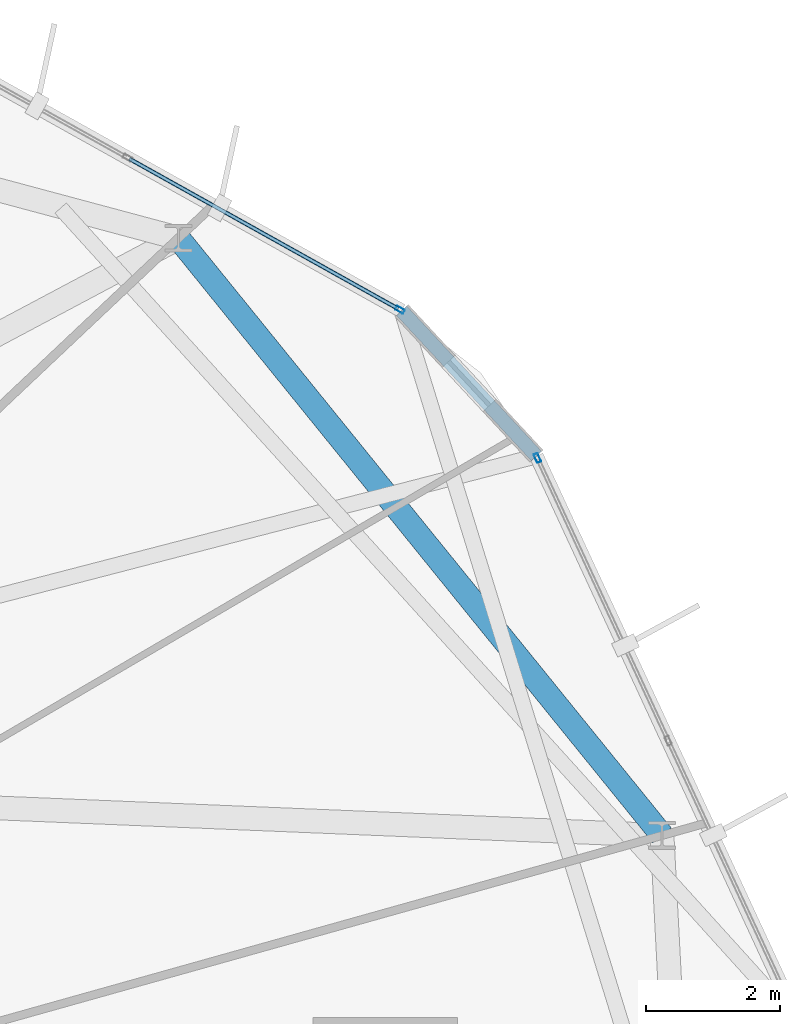
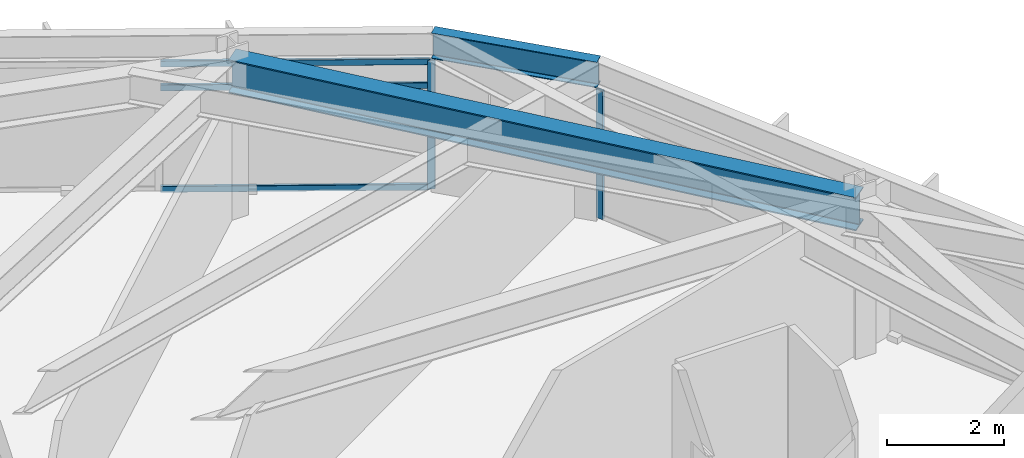
# One storey, part 17 of 25: 5 members, 2 beams, 2 elements without a shape of their own.
"""IFC4 building model written with IfcOpenShell, lengths in metres."""

import ifcopenshell
import ifcopenshell.guid

model = None  # the IFC model being written
_history = None  # IfcOwnerHistory: only IFC2X3 demands one
_inside = {}  # id of a spatial element -> (the spatial element, [elements in it])
_under = {}  # id of a project, library or spatial element -> (it, [spatial elements below it])
_declared = {}  # id of a project -> (the project, [libraries it declares])
_typed = {}  # id of a type object -> (the type object, [elements of that type])
_made_of = {}  # id of a material, layer set ... -> (it, [elements and type objects made of it])


def new_model(schema):
    """Start an empty IFC model of exactly this schema.

    Asked for "IFC4X3", IfcOpenShell would pick the latest addendum, in which some entities
    have other attributes; the version numbers below select the first issue.
    IFC2X3 requires an IfcOwnerHistory on every rooted entity: one is made here for all.
    """
    global model, _history
    if schema == "IFC4X3":
        model = ifcopenshell.file(schema_version=(4, 3, 0, 0))
    else:
        model = ifcopenshell.file(schema=schema)
    _inside.clear()
    _under.clear()
    _declared.clear()
    _typed.clear()
    _made_of.clear()
    _history = None
    if model.schema == "IFC2X3":
        org = make("IfcOrganization", Name="unknown")
        user = make(
            "IfcPersonAndOrganization",
            ThePerson=make("IfcPerson", FamilyName="unknown"),
            TheOrganization=org,
        )
        app = make(
            "IfcApplication",
            ApplicationDeveloper=org,
            Version="unknown",
            ApplicationFullName="unknown",
            ApplicationIdentifier="unknown",
        )
        _history = make(
            "IfcOwnerHistory",
            OwningUser=user,
            OwningApplication=app,
            ChangeAction="ADDED",
            CreationDate=0,
        )
    return model


def make(cls, **values):
    """One entity of the class cls with the attributes given. An attribute that is None is left unset."""
    return model.create_entity(
        cls, **{name: value for name, value in values.items() if value is not None}
    )


def rooted(cls, **values):
    """An entity with a GlobalId (a new one), such as an element, a storey or a relation."""
    return make(cls, GlobalId=ifcopenshell.guid.new(), OwnerHistory=_history, **values)


def si_unit(unit_type, name, prefix=None):
    """IfcSIUnit, for example si_unit("LENGTHUNIT", "METRE", prefix="MILLI")."""
    return make("IfcSIUnit", UnitType=unit_type, Prefix=prefix, Name=name)


def assignment(units):
    """IfcUnitAssignment: the units of a project."""
    return None if units is None else make("IfcUnitAssignment", Units=units)


def point(xyz):
    """IfcCartesianPoint."""
    return None if xyz is None else make("IfcCartesianPoint", Coordinates=xyz)


def direction(xyz):
    """IfcDirection."""
    return None if xyz is None else make("IfcDirection", DirectionRatios=xyz)


def frame(location, z_axis=None, x_axis=None):
    """IfcAxis2Placement3D, a coordinate frame: its origin and axes. An axis left out is left unset."""
    return make(
        "IfcAxis2Placement3D",
        Location=point(location),
        Axis=direction(z_axis),
        RefDirection=direction(x_axis),
    )


def frame_2d(location, x_axis=None):
    """IfcAxis2Placement2D, a coordinate frame in the plane: its origin and x axis."""
    return make(
        "IfcAxis2Placement2D", Location=point(location), RefDirection=direction(x_axis)
    )


def origin():
    """The frame at (0, 0, 0) with its axes left unset."""
    return frame((0.0, 0.0, 0.0))


def origin_2d():
    """The frame at (0, 0) in the plane with its x axis left unset."""
    return frame_2d((0.0, 0.0))


def place(relative_to, where):
    """IfcLocalPlacement: puts the frame where relative to a parent placement (None: the world)."""
    return make(
        "IfcLocalPlacement", PlacementRelTo=relative_to, RelativePlacement=where
    )


def context(
    kind, dimensions, precision=None, world=None, true_north=None, identifier=None
):
    """IfcGeometricRepresentationContext, for example the 3D "Model" context."""
    return make(
        "IfcGeometricRepresentationContext",
        ContextIdentifier=identifier,
        ContextType=kind,
        CoordinateSpaceDimension=dimensions,
        Precision=precision,
        WorldCoordinateSystem=world,
        TrueNorth=true_north,
    )


def subcontext(parent, identifier, kind, view, scale=None):
    """IfcGeometricRepresentationSubContext, for example "Body" below "Model"."""
    return make(
        "IfcGeometricRepresentationSubContext",
        ContextIdentifier=identifier,
        ContextType=kind,
        ParentContext=parent,
        TargetScale=scale,
        TargetView=view,
    )


def project(units=None, contexts=None):
    """IfcProject with its units and contexts."""
    return rooted(
        "IfcProject",
        Name="project",
        RepresentationContexts=contexts,
        UnitsInContext=assignment(units),
    )


def spatial(cls, under=None, at=None, **own):
    """A site, building, storey or space (cls), placed at a placement, below another one or the project."""
    s = rooted(cls, ObjectPlacement=at, **own)
    if under is not None:
        _under.setdefault(under.id(), (under, []))[1].append(s)
    return s


def profile(cls, at=None, kind="AREA", **sizes):
    """A parametric profile (cls). Its sizes go by their IFC names, for example OverallWidth=200.0."""
    return make(cls, ProfileType=kind, Position=at, **sizes)


def hollow_rectangle(**sizes):
    """IfcRectangleHollowProfileDef."""
    return profile("IfcRectangleHollowProfileDef", **sizes)


def i_section(**sizes):
    """IfcIShapeProfileDef."""
    return profile("IfcIShapeProfileDef", **sizes)


def extrude(swept, where, along, depth):
    """IfcExtrudedAreaSolid: the profile swept, set in the frame where, extruded along a direction by depth."""
    return make(
        "IfcExtrudedAreaSolid",
        SweptArea=swept,
        Position=where,
        ExtrudedDirection=direction(along),
        Depth=depth,
    )


def shape(context_of_items, identifier, shape_type, items):
    """IfcShapeRepresentation: the items that make up one representation, for example the "Body"."""
    return make(
        "IfcShapeRepresentation",
        ContextOfItems=context_of_items,
        RepresentationIdentifier=identifier,
        RepresentationType=shape_type,
        Items=items,
    )


def material(Name=None, Category=None):
    """IfcMaterial."""
    return make("IfcMaterial", Name=Name, Category=Category)


def layer(
    of_material, thickness, ventilated=None, Name=None, Category=None, Priority=None
):
    """IfcMaterialLayer: one layer of a wall or slab, of a material (None: an air gap)."""
    return make(
        "IfcMaterialLayer",
        Material=of_material,
        LayerThickness=thickness,
        IsVentilated=ventilated,
        Name=Name,
        Category=Category,
        Priority=Priority,
    )


def layer_set(layers, Name=None):
    """IfcMaterialLayerSet."""
    return make("IfcMaterialLayerSet", MaterialLayers=layers, LayerSetName=Name)


def material_profile(
    of_material, cross_section, Name=None, Category=None, Priority=None
):
    """IfcMaterialProfile: a cross section and its material."""
    return make(
        "IfcMaterialProfile",
        Name=Name,
        Material=of_material,
        Profile=cross_section,
        Priority=Priority,
        Category=Category,
    )


def profile_set(profiles, Name=None, composite=None):
    """IfcMaterialProfileSet."""
    return make(
        "IfcMaterialProfileSet",
        Name=Name,
        MaterialProfiles=profiles,
        CompositeProfile=composite,
    )


def made_of(thing, what):
    """Note that an element or type object is made of a material, layer set ...; save() writes the relation."""
    if what is not None:
        _made_of.setdefault(what.id(), (what, []))[1].append(thing)
    return thing


def type_object(cls, material=None, **own):
    """A type object (cls), such as IfcWallType, which elements share."""
    return made_of(rooted(cls, **own), material)


def element(
    cls,
    number,
    at=None,
    inside=None,
    cuts=None,
    type_object=None,
    material=None,
    context=None,
    identifier="Body",
    shape_type=None,
    held_by="IfcProductDefinitionShape",
    body=None,
    shapes=None,
    **own,
):
    """One element of the class cls, such as IfcWall. Its Tag is "e" and its number.

    at: its placement. inside: the storey or other place that contains it. cuts: it is an
    opening in that element (IfcRelVoidsElement). A single representation is given by context,
    identifier, shape_type and body (its items); several are given by shapes. held_by: the class
    of the entity that holds the representations. save() writes the other relations.
    """
    e = rooted(cls, Tag="e%d" % number, ObjectPlacement=at, **own)
    if body is not None:
        shapes = [shape(context, identifier, shape_type, body)]
    if shapes is not None:
        e.Representation = make(held_by, Representations=shapes)
    if inside is not None:
        _inside.setdefault(inside.id(), (inside, []))[1].append(e)
    if cuts is not None:
        rooted(
            "IfcRelVoidsElement", RelatingBuildingElement=cuts, RelatedOpeningElement=e
        )
    if type_object is not None:
        _typed.setdefault(type_object.id(), (type_object, []))[1].append(e)
    return made_of(e, material)


def aggregate(whole, parts):
    """IfcRelAggregates: a whole, such as a stair, and the parts it consists of."""
    return rooted("IfcRelAggregates", RelatingObject=whole, RelatedObjects=parts)


def save(model, path):
    """Write the relations noted so far, then the file.

    IfcRelAggregates (storeys below a building ...), IfcRelContainedInSpatialStructure (elements
    in a storey), IfcRelDefinesByType, IfcRelAssociatesMaterial and IfcRelDeclares: one each for
    every whole, place, type object, material and project.
    """
    for whole, parts in _under.values():
        aggregate(whole, parts)
    for where, things in _inside.values():
        rooted(
            "IfcRelContainedInSpatialStructure",
            RelatedElements=things,
            RelatingStructure=where,
        )
    for kind, things in _typed.values():
        rooted("IfcRelDefinesByType", RelatedObjects=things, RelatingType=kind)
    for what, things in _made_of.values():
        rooted("IfcRelAssociatesMaterial", RelatedObjects=things, RelatingMaterial=what)
    for by, libraries in _declared.values():
        rooted("IfcRelDeclares", RelatingContext=by, RelatedDefinitions=libraries)
    model.write(path)


model = new_model("IFC4")

# Units and contexts
model_context = context("Model", 3, precision=1e-05, world=origin(), true_north=direction((0.0, 1.0)))
body_context = subcontext(model_context, "Body", "Model", "MODEL_VIEW")
ifc_project = project(units=[si_unit("LENGTHUNIT", "METRE"), si_unit("AREAUNIT", "SQUARE_METRE"), si_unit("VOLUMEUNIT", "CUBIC_METRE"), si_unit("PLANEANGLEUNIT", "RADIAN"), si_unit("MASSUNIT", "GRAM", prefix="KILO")], contexts=[model_context])

# Site, building, storey
site_placement = place(None, origin())
site = spatial("IfcSite", under=ifc_project, at=site_placement, CompositionType="ELEMENT")
building_placement = place(site_placement, origin())
building = spatial("IfcBuilding", under=site, at=building_placement, Name="Soratama Intermodal Tower", CompositionType="ELEMENT")
storey_placement = place(building_placement, frame((0.0, 0.0, 190.60009765625)))
storey = spatial("IfcBuildingStorey", under=building, at=storey_placement, Name="L47", CompositionType="ELEMENT", Elevation=190.60009765625)

# Beams
ifc_material_1 = material(Name="Structural steel ASTM A992 Grade 50", Category="steel")
ifc_material_profile_1 = material_profile(ifc_material_1, i_section(OverallWidth=0.35498046875, OverallDepth=0.695068359375, WebThickness=0.015380859375, FlangeThickness=0.02490234375, FilletRadius=0.01611328125, at=origin_2d()), Name="W27X146")
ifc_profile_set_1 = profile_set([ifc_material_profile_1], Name="Structural steel ASTM A992 Grade 50")
beam_type_1 = type_object("IfcBeamType", Name="BM-RING-W27X146", PredefinedType="BEAM", material=ifc_profile_set_1)
beam_1_placement = place(storey_placement, frame((62.364990234375, 31.666015625, 2.952392578125), z_axis=(-0.629384551156, 0.777094001242, 0.0), x_axis=(-0.777094001242, -0.629384551156, 0.0)))
element("IfcBeam", 1, at=beam_1_placement, inside=storey, type_object=beam_type_1, Name="BM-L47-RING-01", PredefinedType="BEAM", context=body_context, shape_type="SweptSolid", body=[
    extrude(i_section(OverallWidth=0.35498046875, OverallDepth=0.695068359375, WebThickness=0.015380859375, FlangeThickness=0.02490234375, FilletRadius=0.01611328125, at=origin_2d()), origin(), (0.0, 0.0, 1.0), 11.49560546875),
])
ifc_material_2 = material(Name="Structural steel ASTM A992 Grade 50", Category="steel")
ifc_material_profile_2 = material_profile(ifc_material_2, i_section(OverallWidth=0.2099609375, OverallDepth=0.537109375, WebThickness=0.010986328125, FlangeThickness=0.017333984375, FilletRadius=0.012939453125, at=origin_2d()), Name="W21X68")
ifc_profile_set_2 = profile_set([ifc_material_profile_2], Name="Structural steel ASTM A992 Grade 50")
beam_type_2 = type_object("IfcBeamType", Name="BM-SPN-W21X68", PredefinedType="SPANDREL", material=ifc_profile_set_2)
beam_2_placement = place(storey_placement, frame((60.487060546875, 37.339111328125, 3.031494140625), z_axis=(-0.680021632423, 0.733192048127, 0.0), x_axis=(-0.733192048127, -0.680021632423, 0.0)))
element("IfcBeam", 2, at=beam_2_placement, inside=storey, type_object=beam_type_2, Name="BS-L47-CRN10", PredefinedType="SPANDREL", context=body_context, shape_type="SweptSolid", body=[
    extrude(i_section(OverallWidth=0.2099609375, OverallDepth=0.537109375, WebThickness=0.010986328125, FlangeThickness=0.017333984375, FilletRadius=0.012939453125, at=origin_2d()), origin(), (0.0, 0.0, 1.0), 2.96630859375),
])

# Curtain wall, member
ifc_material_3 = material(Name="Double-glazed aluminium curtain wall", Category="aluminium")
ifc_layer = layer(ifc_material_3, 0.159912109375)
ifc_layer_set = layer_set([ifc_layer], Name="Double-glazed aluminium curtain wall")
curtain_wall_type = type_object("IfcCurtainWallType", Name="CW-SYS-5", PredefinedType="NOTDEFINED", material=ifc_layer_set)
curtain_wall_1_placement = place(storey_placement, origin())
curtain_wall_1 = element("IfcCurtainWall", 3, at=curtain_wall_1_placement, inside=storey, type_object=curtain_wall_type, Name="L47 Faceted Curtain Wall F01", PredefinedType="NOTDEFINED")
ifc_material_4 = material(Name="Anodised aluminium AA 6063-T6", Category="aluminium")
ifc_material_profile_3 = material_profile(ifc_material_4, hollow_rectangle(XDim=0.06494140625, YDim=0.139892578125, WallThickness=0.0048828125, InnerFilletRadius=0.0048828125, OuterFilletRadius=0.010009765625, at=origin_2d()), Name="CWM140X65X5")
ifc_profile_set_3 = profile_set([ifc_material_profile_3], Name="Anodised aluminium AA 6063-T6")
member_type_1 = type_object("IfcMemberType", Name="MT-CWM-5", PredefinedType="MULLION", material=ifc_profile_set_3)
member_1_placement = place(storey_placement, frame((58.44384765625, 39.5283203125, 0.0), z_axis=(0.0, 0.0, 1.0), x_axis=(-0.487252946599, -0.873260880855, 0.0)))
member_1 = element("IfcMember", 4, at=member_1_placement, type_object=member_type_1, Name="CW-5 mullion 1", PredefinedType="MULLION", context=body_context, shape_type="SweptSolid", body=[
    extrude(hollow_rectangle(XDim=0.06494140625, YDim=0.139892578125, WallThickness=0.0048828125, InnerFilletRadius=0.0048828125, OuterFilletRadius=0.010009765625, at=origin_2d()), origin(), (0.0, 0.0, 1.0), 2.678955078125),
])

curtain_wall_2_placement = place(storey_placement, origin())
curtain_wall_2 = element("IfcCurtainWall", 5, at=curtain_wall_2_placement, inside=storey, type_object=curtain_wall_type, Name="L47 Faceted Curtain Wall F10", PredefinedType="NOTDEFINED")
member_2_placement = place(storey_placement, frame((60.499755859375, 37.311279296875, 0.0), z_axis=(0.0, 0.0, 1.0), x_axis=(-0.907481505126, -0.42009203498, 0.0)))
member_2 = element("IfcMember", 6, at=member_2_placement, type_object=member_type_1, Name="CW-5 mullion 3", PredefinedType="MULLION", context=body_context, shape_type="SweptSolid", body=[
    extrude(hollow_rectangle(XDim=0.06494140625, YDim=0.139892578125, WallThickness=0.0048828125, InnerFilletRadius=0.0048828125, OuterFilletRadius=0.010009765625, at=origin_2d()), origin(), (0.0, 0.0, 1.0), 2.678955078125),
])
aggregate(curtain_wall_2, [member_2])

# Member
ifc_material_5 = material(Name="Anodised aluminium AA 6063-T6", Category="aluminium")
ifc_material_profile_4 = material_profile(ifc_material_5, hollow_rectangle(XDim=0.06005859375, YDim=0.1298828125, WallThickness=0.0048828125, InnerFilletRadius=0.0048828125, OuterFilletRadius=0.010009765625, at=origin_2d()), Name="CWT130X60X5")
ifc_profile_set_4 = profile_set([ifc_material_profile_4], Name="Anodised aluminium AA 6063-T6")
member_type_2 = type_object("IfcMemberType", Name="TT-CWT-2", PredefinedType="USERDEFINED", material=ifc_profile_set_4)
member_3_placement = place(storey_placement, frame((58.417724609375, 39.54296875, 0.02978515625), z_axis=(-0.873262285383, 0.487250429376, 0.0), x_axis=(-0.487250429376, -0.873262285383, 0.0)))
member_3 = element("IfcMember", 7, at=member_3_placement, type_object=member_type_2, Name="CW-5 transom 1.1", ObjectType="TRANSOM", PredefinedType="USERDEFINED", context=body_context, shape_type="SweptSolid", body=[
    extrude(hollow_rectangle(XDim=0.06005859375, YDim=0.1298828125, WallThickness=0.0048828125, InnerFilletRadius=0.0048828125, OuterFilletRadius=0.010009765625, at=origin_2d()), origin(), (0.0, 0.0, 1.0), 4.601318359375),
])

member_4_placement = place(storey_placement, frame((58.417724609375, 39.54296875, 2.14990234375), z_axis=(-0.873262285383, 0.487250429376, 0.0), x_axis=(-0.487250429376, -0.873262285383, 0.0)))
member_4 = element("IfcMember", 8, at=member_4_placement, type_object=member_type_2, Name="CW-5 transom 1.2", ObjectType="TRANSOM", PredefinedType="USERDEFINED", context=body_context, shape_type="SweptSolid", body=[
    extrude(hollow_rectangle(XDim=0.06005859375, YDim=0.1298828125, WallThickness=0.0048828125, InnerFilletRadius=0.0048828125, OuterFilletRadius=0.010009765625, at=origin_2d()), origin(), (0.0, 0.0, 1.0), 4.601318359375),
])

member_5_placement = place(storey_placement, frame((58.417724609375, 39.54296875, 2.64892578125), z_axis=(-0.873262285383, 0.487250429376, 0.0), x_axis=(-0.487250429376, -0.873262285383, 0.0)))
member_5 = element("IfcMember", 9, at=member_5_placement, type_object=member_type_2, Name="CW-5 transom 1.3", ObjectType="TRANSOM", PredefinedType="USERDEFINED", context=body_context, shape_type="SweptSolid", body=[
    extrude(hollow_rectangle(XDim=0.06005859375, YDim=0.1298828125, WallThickness=0.0048828125, InnerFilletRadius=0.0048828125, OuterFilletRadius=0.010009765625, at=origin_2d()), origin(), (0.0, 0.0, 1.0), 4.601318359375),
])

aggregate(curtain_wall_1, [member_1, member_3, member_4, member_5])

save(model, "model.ifc")
